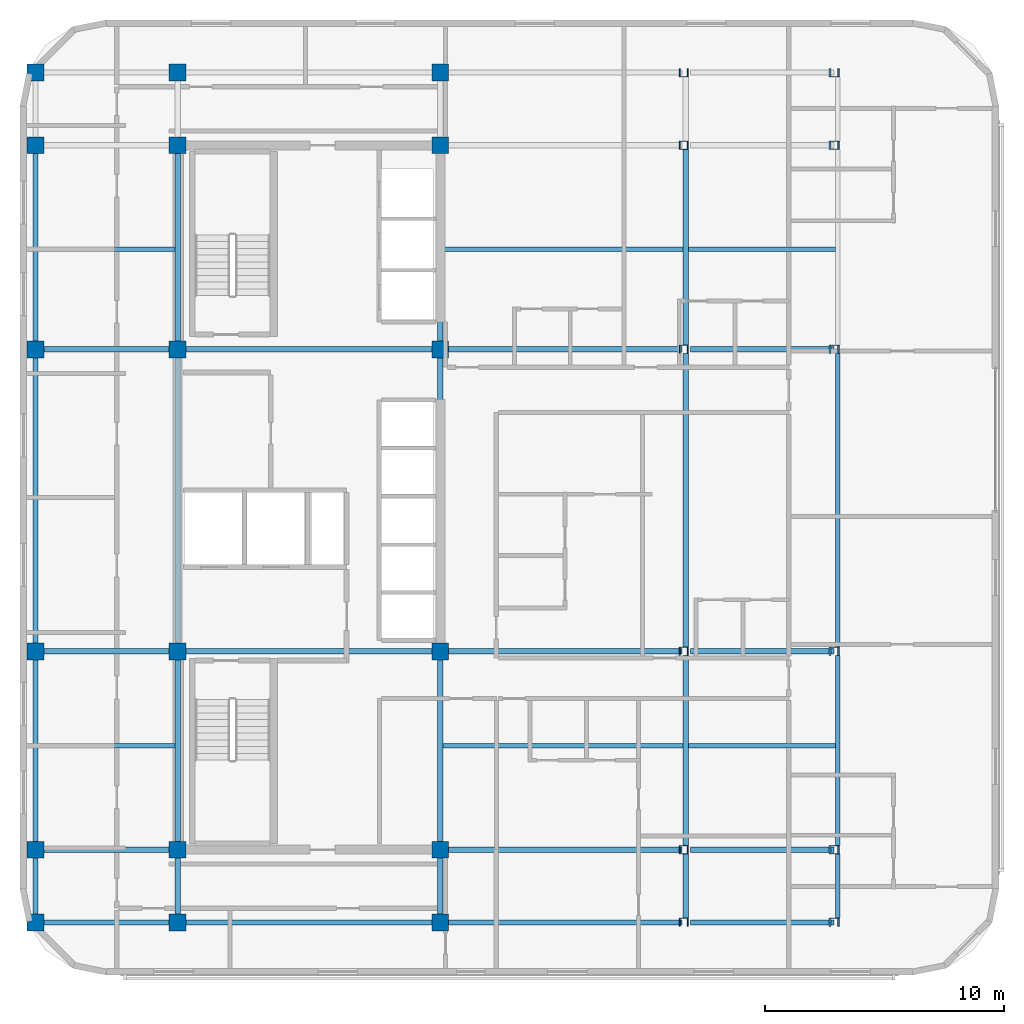
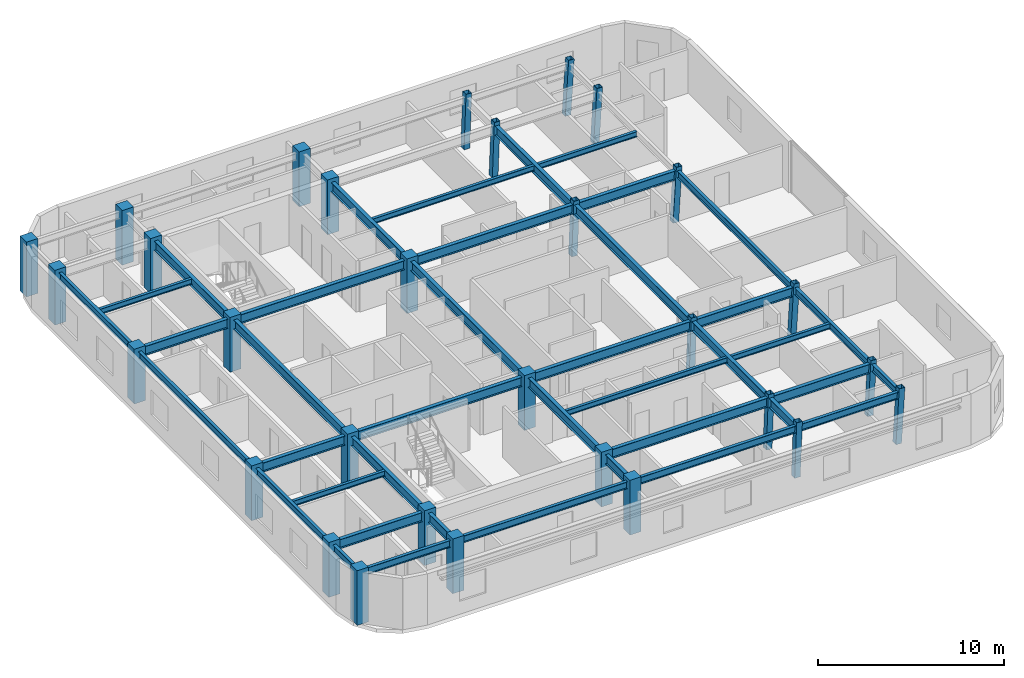
# One storey, part 1 of 11: 40 beams, 30 columns.
"""IFC4 building model written with IfcOpenShell, lengths in metres."""

import ifcopenshell
import ifcopenshell.guid

model = None  # the IFC model being written
_history = None  # IfcOwnerHistory: only IFC2X3 demands one
_inside = {}  # id of a spatial element -> (the spatial element, [elements in it])
_under = {}  # id of a project, library or spatial element -> (it, [spatial elements below it])
_declared = {}  # id of a project -> (the project, [libraries it declares])
_typed = {}  # id of a type object -> (the type object, [elements of that type])
_made_of = {}  # id of a material, layer set ... -> (it, [elements and type objects made of it])


def new_model(schema):
    """Start an empty IFC model of exactly this schema.

    Asked for "IFC4X3", IfcOpenShell would pick the latest addendum, in which some entities
    have other attributes; the version numbers below select the first issue.
    IFC2X3 requires an IfcOwnerHistory on every rooted entity: one is made here for all.
    """
    global model, _history
    if schema == "IFC4X3":
        model = ifcopenshell.file(schema_version=(4, 3, 0, 0))
    else:
        model = ifcopenshell.file(schema=schema)
    _inside.clear()
    _under.clear()
    _declared.clear()
    _typed.clear()
    _made_of.clear()
    _history = None
    if model.schema == "IFC2X3":
        org = make("IfcOrganization", Name="unknown")
        user = make(
            "IfcPersonAndOrganization",
            ThePerson=make("IfcPerson", FamilyName="unknown"),
            TheOrganization=org,
        )
        app = make(
            "IfcApplication",
            ApplicationDeveloper=org,
            Version="unknown",
            ApplicationFullName="unknown",
            ApplicationIdentifier="unknown",
        )
        _history = make(
            "IfcOwnerHistory",
            OwningUser=user,
            OwningApplication=app,
            ChangeAction="ADDED",
            CreationDate=0,
        )
    return model


def make(cls, **values):
    """One entity of the class cls with the attributes given. An attribute that is None is left unset."""
    return model.create_entity(
        cls, **{name: value for name, value in values.items() if value is not None}
    )


def rooted(cls, **values):
    """An entity with a GlobalId (a new one), such as an element, a storey or a relation."""
    return make(cls, GlobalId=ifcopenshell.guid.new(), OwnerHistory=_history, **values)


def si_unit(unit_type, name, prefix=None):
    """IfcSIUnit, for example si_unit("LENGTHUNIT", "METRE", prefix="MILLI")."""
    return make("IfcSIUnit", UnitType=unit_type, Prefix=prefix, Name=name)


def assignment(units):
    """IfcUnitAssignment: the units of a project."""
    return None if units is None else make("IfcUnitAssignment", Units=units)


def point(xyz):
    """IfcCartesianPoint."""
    return None if xyz is None else make("IfcCartesianPoint", Coordinates=xyz)


def direction(xyz):
    """IfcDirection."""
    return None if xyz is None else make("IfcDirection", DirectionRatios=xyz)


def frame(location, z_axis=None, x_axis=None):
    """IfcAxis2Placement3D, a coordinate frame: its origin and axes. An axis left out is left unset."""
    return make(
        "IfcAxis2Placement3D",
        Location=point(location),
        Axis=direction(z_axis),
        RefDirection=direction(x_axis),
    )


def frame_2d(location, x_axis=None):
    """IfcAxis2Placement2D, a coordinate frame in the plane: its origin and x axis."""
    return make(
        "IfcAxis2Placement2D", Location=point(location), RefDirection=direction(x_axis)
    )


def origin():
    """The frame at (0, 0, 0) with its axes left unset."""
    return frame((0.0, 0.0, 0.0))


def origin_2d():
    """The frame at (0, 0) in the plane with its x axis left unset."""
    return frame_2d((0.0, 0.0))


def place(relative_to, where):
    """IfcLocalPlacement: puts the frame where relative to a parent placement (None: the world)."""
    return make(
        "IfcLocalPlacement", PlacementRelTo=relative_to, RelativePlacement=where
    )


def context(
    kind, dimensions, precision=None, world=None, true_north=None, identifier=None
):
    """IfcGeometricRepresentationContext, for example the 3D "Model" context."""
    return make(
        "IfcGeometricRepresentationContext",
        ContextIdentifier=identifier,
        ContextType=kind,
        CoordinateSpaceDimension=dimensions,
        Precision=precision,
        WorldCoordinateSystem=world,
        TrueNorth=true_north,
    )


def subcontext(parent, identifier, kind, view, scale=None):
    """IfcGeometricRepresentationSubContext, for example "Body" below "Model"."""
    return make(
        "IfcGeometricRepresentationSubContext",
        ContextIdentifier=identifier,
        ContextType=kind,
        ParentContext=parent,
        TargetScale=scale,
        TargetView=view,
    )


def project(units=None, contexts=None):
    """IfcProject with its units and contexts."""
    return rooted(
        "IfcProject",
        Name="project",
        RepresentationContexts=contexts,
        UnitsInContext=assignment(units),
    )


def spatial(cls, under=None, at=None, **own):
    """A site, building, storey or space (cls), placed at a placement, below another one or the project."""
    s = rooted(cls, ObjectPlacement=at, **own)
    if under is not None:
        _under.setdefault(under.id(), (under, []))[1].append(s)
    return s


def profile(cls, at=None, kind="AREA", **sizes):
    """A parametric profile (cls). Its sizes go by their IFC names, for example OverallWidth=200.0."""
    return make(cls, ProfileType=kind, Position=at, **sizes)


def rectangle(**sizes):
    """IfcRectangleProfileDef."""
    return profile("IfcRectangleProfileDef", **sizes)


def hollow_rectangle(**sizes):
    """IfcRectangleHollowProfileDef."""
    return profile("IfcRectangleHollowProfileDef", **sizes)


def i_section(**sizes):
    """IfcIShapeProfileDef."""
    return profile("IfcIShapeProfileDef", **sizes)


def extrude(swept, where, along, depth):
    """IfcExtrudedAreaSolid: the profile swept, set in the frame where, extruded along a direction by depth."""
    return make(
        "IfcExtrudedAreaSolid",
        SweptArea=swept,
        Position=where,
        ExtrudedDirection=direction(along),
        Depth=depth,
    )


def shape(context_of_items, identifier, shape_type, items):
    """IfcShapeRepresentation: the items that make up one representation, for example the "Body"."""
    return make(
        "IfcShapeRepresentation",
        ContextOfItems=context_of_items,
        RepresentationIdentifier=identifier,
        RepresentationType=shape_type,
        Items=items,
    )


def material(Name=None, Category=None):
    """IfcMaterial."""
    return make("IfcMaterial", Name=Name, Category=Category)


def material_profile(
    of_material, cross_section, Name=None, Category=None, Priority=None
):
    """IfcMaterialProfile: a cross section and its material."""
    return make(
        "IfcMaterialProfile",
        Name=Name,
        Material=of_material,
        Profile=cross_section,
        Priority=Priority,
        Category=Category,
    )


def profile_set(profiles, Name=None, composite=None):
    """IfcMaterialProfileSet."""
    return make(
        "IfcMaterialProfileSet",
        Name=Name,
        MaterialProfiles=profiles,
        CompositeProfile=composite,
    )


def made_of(thing, what):
    """Note that an element or type object is made of a material, layer set ...; save() writes the relation."""
    if what is not None:
        _made_of.setdefault(what.id(), (what, []))[1].append(thing)
    return thing


def type_object(cls, material=None, **own):
    """A type object (cls), such as IfcWallType, which elements share."""
    return made_of(rooted(cls, **own), material)


def element(
    cls,
    number,
    at=None,
    inside=None,
    cuts=None,
    type_object=None,
    material=None,
    context=None,
    identifier="Body",
    shape_type=None,
    held_by="IfcProductDefinitionShape",
    body=None,
    shapes=None,
    **own,
):
    """One element of the class cls, such as IfcWall. Its Tag is "e" and its number.

    at: its placement. inside: the storey or other place that contains it. cuts: it is an
    opening in that element (IfcRelVoidsElement). A single representation is given by context,
    identifier, shape_type and body (its items); several are given by shapes. held_by: the class
    of the entity that holds the representations. save() writes the other relations.
    """
    e = rooted(cls, Tag="e%d" % number, ObjectPlacement=at, **own)
    if body is not None:
        shapes = [shape(context, identifier, shape_type, body)]
    if shapes is not None:
        e.Representation = make(held_by, Representations=shapes)
    if inside is not None:
        _inside.setdefault(inside.id(), (inside, []))[1].append(e)
    if cuts is not None:
        rooted(
            "IfcRelVoidsElement", RelatingBuildingElement=cuts, RelatedOpeningElement=e
        )
    if type_object is not None:
        _typed.setdefault(type_object.id(), (type_object, []))[1].append(e)
    return made_of(e, material)


def aggregate(whole, parts):
    """IfcRelAggregates: a whole, such as a stair, and the parts it consists of."""
    return rooted("IfcRelAggregates", RelatingObject=whole, RelatedObjects=parts)


def save(model, path):
    """Write the relations noted so far, then the file.

    IfcRelAggregates (storeys below a building ...), IfcRelContainedInSpatialStructure (elements
    in a storey), IfcRelDefinesByType, IfcRelAssociatesMaterial and IfcRelDeclares: one each for
    every whole, place, type object, material and project.
    """
    for whole, parts in _under.values():
        aggregate(whole, parts)
    for where, things in _inside.values():
        rooted(
            "IfcRelContainedInSpatialStructure",
            RelatedElements=things,
            RelatingStructure=where,
        )
    for kind, things in _typed.values():
        rooted("IfcRelDefinesByType", RelatedObjects=things, RelatingType=kind)
    for what, things in _made_of.values():
        rooted("IfcRelAssociatesMaterial", RelatedObjects=things, RelatingMaterial=what)
    for by, libraries in _declared.values():
        rooted("IfcRelDeclares", RelatingContext=by, RelatedDefinitions=libraries)
    model.write(path)


model = new_model("IFC4")

# Units and contexts
model_context = context("Model", 3, precision=1e-05, world=origin(), true_north=direction((0.0, 1.0)))
body_context = subcontext(model_context, "Body", "Model", "MODEL_VIEW")
ifc_project = project(units=[si_unit("LENGTHUNIT", "METRE"), si_unit("AREAUNIT", "SQUARE_METRE"), si_unit("VOLUMEUNIT", "CUBIC_METRE"), si_unit("PLANEANGLEUNIT", "RADIAN"), si_unit("MASSUNIT", "GRAM", prefix="KILO")], contexts=[model_context])

# Site, building, storey
site_placement = place(None, origin())
site = spatial("IfcSite", under=ifc_project, at=site_placement, CompositionType="ELEMENT")
building_placement = place(site_placement, origin())
building = spatial("IfcBuilding", under=site, at=building_placement, Name="Ochreholt Gables", CompositionType="ELEMENT")
storey_placement = place(building_placement, frame((0.0, 0.0, 155.39990234375)))
storey = spatial("IfcBuildingStorey", under=building, at=storey_placement, Name="L40", CompositionType="ELEMENT", Elevation=155.39990234375)

# Columns
ifc_material_1 = material(Name="Steel CSA G40.21 350W", Category="steel")
ifc_material_profile_1 = material_profile(ifc_material_1, hollow_rectangle(XDim=0.35595703125, YDim=0.35595703125, WallThickness=0.01611328125, at=origin_2d()), Name="HSS356X356X16")
ifc_profile_set_1 = profile_set([ifc_material_profile_1], Name="Steel CSA G40.21 350W")
column_type_1 = type_object("IfcColumnType", Name="COL-HSS356-RAK", PredefinedType="COLUMN", material=ifc_profile_set_1)
for number, where, z_axis, x_axis, name in (
    (1, (45.375, 9.25, 0.0), (0.034971136209, 0.0, 0.999388322742), (0.0, 1.0, 0.0), "L40 Column EMY2"),
    (2, (45.375, 17.550048828125, 0.0), (0.034971136209, 0.0, 0.999388322742), (0.0, 1.0, 0.0), "L40 Column EMY3"),
    (3, (45.375, 30.199951171875, 0.0), (0.034971136209, 0.0, 0.999388322742), (0.0, 1.0, 0.0), "L40 Column EMY4"),
    (4, (45.375, 38.75, 0.0), (0.034971136209, 0.0, 0.999388322742), (0.0, 1.0, 0.0), "L40 Column EMY5"),
):
    element("IfcColumn", number, at=place(storey_placement, frame(where, z_axis=z_axis, x_axis=x_axis)), inside=storey, type_object=column_type_1, Name=name, PredefinedType="COLUMN", context=body_context, shape_type="SweptSolid", body=[
        extrude(hollow_rectangle(XDim=0.35595703125, YDim=0.35595703125, WallThickness=0.01611328125, at=origin_2d()), origin(), (0.0, 0.0, 1.0), 3.602294921875),
    ])
ifc_material_profile_2 = material_profile(ifc_material_1, hollow_rectangle(XDim=0.35595703125, YDim=0.35595703125, WallThickness=0.01611328125, at=origin_2d()), Name="HSS356X356X16")
ifc_profile_set_2 = profile_set([ifc_material_profile_2], Name="Steel CSA G40.21 350W")
column_type_2 = type_object("IfcColumnType", Name="COL-HSS356-RAKE", PredefinedType="COLUMN", material=ifc_profile_set_2)
for number, where, z_axis, x_axis, name in (
    (5, (45.375, 6.199951171875, 0.0), (0.034971136209, 0.0, 0.999388322742), (0.0, 1.0, 0.0), "L40 Column EMY1"),
    (6, (45.375, 41.800048828125, 0.0), (0.034971136209, 0.0, 0.999388322742), (0.0, 1.0, 0.0), "L40 Column EMY6"),
):
    element("IfcColumn", number, at=place(storey_placement, frame(where, z_axis=z_axis, x_axis=x_axis)), inside=storey, type_object=column_type_2, Name=name, PredefinedType="COLUMN", context=body_context, shape_type="SweptSolid", body=[
        extrude(hollow_rectangle(XDim=0.35595703125, YDim=0.35595703125, WallThickness=0.01611328125, at=origin_2d()), origin(), (0.0, 0.0, 1.0), 3.602294921875),
    ])
for number, where, z_axis, x_axis, name in (
    (7, (51.669921875, 6.199951171875, 0.0), (0.057952080376, 0.0, 0.998319365925), (0.0, 1.0, 0.0), "L40 Column EEY1"),
    (8, (51.669921875, 9.25, 0.0), (0.057952080376, 0.0, 0.998319365925), (0.0, 1.0, 0.0), "L40 Column EEY2"),
    (9, (51.669921875, 17.550048828125, 0.0), (0.057952080376, 0.0, 0.998319365925), (0.0, 1.0, 0.0), "L40 Column EEY3"),
    (10, (51.669921875, 30.199951171875, 0.0), (0.057952080376, 0.0, 0.998319365925), (0.0, 1.0, 0.0), "L40 Column EEY4"),
    (11, (51.669921875, 38.75, 0.0), (0.057952080376, 0.0, 0.998319365925), (0.0, 1.0, 0.0), "L40 Column EEY5"),
    (12, (51.669921875, 41.800048828125, 0.0), (0.057952080376, 0.0, 0.998319365925), (0.0, 1.0, 0.0), "L40 Column EEY6"),
):
    element("IfcColumn", number, at=place(storey_placement, frame(where, z_axis=z_axis, x_axis=x_axis)), inside=storey, type_object=column_type_2, Name=name, PredefinedType="COLUMN", context=body_context, shape_type="SweptSolid", body=[
        extrude(hollow_rectangle(XDim=0.35595703125, YDim=0.35595703125, WallThickness=0.01611328125, at=origin_2d()), origin(), (0.0, 0.0, 1.0), 3.606201171875),
    ])
ifc_material_2 = material(Name="Concrete 50 MPa", Category="concrete")
ifc_material_profile_3 = material_profile(ifc_material_2, rectangle(XDim=0.699951171875, YDim=0.699951171875, at=origin_2d()), Name="RC700X700")
ifc_profile_set_3 = profile_set([ifc_material_profile_3], Name="Concrete 50 MPa")
column_type_3 = type_object("IfcColumnType", Name="COL-RC700-EXT", PredefinedType="COLUMN", material=ifc_profile_set_3)
for number, where, z_axis, x_axis, name in (
    (13, (18.25, 6.199951171875, 0.0), (0.0, 0.0, 1.0), (1.0, 0.0, 0.0), "L40 Column W3Y1"),
    (14, (18.25, 9.25, 0.0), (0.0, 0.0, 1.0), (1.0, 0.0, 0.0), "L40 Column W3Y2"),
    (15, (18.25, 17.550048828125, 0.0), (0.0, 0.0, 1.0), (1.0, 0.0, 0.0), "L40 Column W3Y3"),
    (16, (18.25, 30.199951171875, 0.0), (0.0, 0.0, 1.0), (1.0, 0.0, 0.0), "L40 Column W3Y4"),
    (17, (18.25, 38.75, 0.0), (0.0, 0.0, 1.0), (1.0, 0.0, 0.0), "L40 Column W3Y5"),
    (18, (18.25, 41.800048828125, 0.0), (0.0, 0.0, 1.0), (1.0, 0.0, 0.0), "L40 Column W3Y6"),
    (19, (24.199951171875, 6.199951171875, 0.0), (0.0, 0.0, 1.0), (1.0, 0.0, 0.0), "L40 Column C1Y1"),
    (20, (24.199951171875, 41.800048828125, 0.0), (0.0, 0.0, 1.0), (1.0, 0.0, 0.0), "L40 Column C1Y6"),
    (21, (35.199951171875, 6.199951171875, 0.0), (0.0, 0.0, 1.0), (1.0, 0.0, 0.0), "L40 Column C2Y1"),
    (22, (35.199951171875, 41.800048828125, 0.0), (0.0, 0.0, 1.0), (1.0, 0.0, 0.0), "L40 Column C2Y6"),
):
    element("IfcColumn", number, at=place(storey_placement, frame(where, z_axis=z_axis, x_axis=x_axis)), inside=storey, type_object=column_type_3, Name=name, PredefinedType="COLUMN", context=body_context, shape_type="SweptSolid", body=[
        extrude(rectangle(XDim=0.699951171875, YDim=0.699951171875, at=origin_2d()), origin(), (0.0, 0.0, 1.0), 3.60009765625),
    ])
ifc_material_profile_4 = material_profile(ifc_material_2, rectangle(XDim=0.699951171875, YDim=0.699951171875, at=origin_2d()), Name="RC700X700")
ifc_profile_set_4 = profile_set([ifc_material_profile_4], Name="Concrete 50 MPa")
column_type_4 = type_object("IfcColumnType", Name="COL-RC700-INT", PredefinedType="COLUMN", material=ifc_profile_set_4)
for number, where, z_axis, x_axis, name in (
    (23, (24.199951171875, 9.25, 0.0), (0.0, 0.0, 1.0), (1.0, 0.0, 0.0), "L40 Column C1Y2"),
    (24, (24.199951171875, 17.550048828125, 0.0), (0.0, 0.0, 1.0), (1.0, 0.0, 0.0), "L40 Column C1Y3"),
    (25, (24.199951171875, 30.199951171875, 0.0), (0.0, 0.0, 1.0), (1.0, 0.0, 0.0), "L40 Column C1Y4"),
    (26, (24.199951171875, 38.75, 0.0), (0.0, 0.0, 1.0), (1.0, 0.0, 0.0), "L40 Column C1Y5"),
    (27, (35.199951171875, 9.25, 0.0), (0.0, 0.0, 1.0), (1.0, 0.0, 0.0), "L40 Column C2Y2"),
    (28, (35.199951171875, 17.550048828125, 0.0), (0.0, 0.0, 1.0), (1.0, 0.0, 0.0), "L40 Column C2Y3"),
    (29, (35.199951171875, 30.199951171875, 0.0), (0.0, 0.0, 1.0), (1.0, 0.0, 0.0), "L40 Column C2Y4"),
    (30, (35.199951171875, 38.75, 0.0), (0.0, 0.0, 1.0), (1.0, 0.0, 0.0), "L40 Column C2Y5"),
):
    element("IfcColumn", number, at=place(storey_placement, frame(where, z_axis=z_axis, x_axis=x_axis)), inside=storey, type_object=column_type_4, Name=name, PredefinedType="COLUMN", context=body_context, shape_type="SweptSolid", body=[
        extrude(rectangle(XDim=0.699951171875, YDim=0.699951171875, at=origin_2d()), origin(), (0.0, 0.0, 1.0), 3.60009765625),
    ])

# Beams
ifc_material_profile_5 = material_profile(ifc_material_1, i_section(OverallWidth=0.22900390625, OverallDepth=0.612060546875, WebThickness=0.011962890625, FlangeThickness=0.01953125, at=origin_2d()), Name="W610X125")
ifc_profile_set_5 = profile_set([ifc_material_profile_5], Name="Steel CSA G40.21 350W")
beam_type_1 = type_object("IfcBeamType", Name="BM-G-W610B", PredefinedType="BEAM", material=ifc_profile_set_5)
beam_1_placement = place(storey_placement, frame((18.599609375, 9.25, 3.05419921875), z_axis=(1.0, 0.0, 0.0), x_axis=(0.0, 1.0, 0.0)))
element("IfcBeam", 31, at=beam_1_placement, inside=storey, type_object=beam_type_1, Name="L40 Beam TBG-L40-W3C1-Y2", PredefinedType="BEAM", context=body_context, shape_type="SweptSolid", body=[
    extrude(i_section(OverallWidth=0.22900390625, OverallDepth=0.612060546875, WebThickness=0.011962890625, FlangeThickness=0.01953125, at=origin_2d()), origin(), (0.0, 0.0, 1.0), 5.250732421875),
])
beam_2_placement = place(storey_placement, frame((35.549560546875, 9.25, 3.05419921875), z_axis=(1.0, 0.0, 0.0), x_axis=(0.0, 1.0, 0.0)))
element("IfcBeam", 32, at=beam_2_placement, inside=storey, type_object=beam_type_1, Name="L40 Beam TBG-L40-C2EM-Y2", PredefinedType="BEAM", context=body_context, shape_type="SweptSolid", body=[
    extrude(i_section(OverallWidth=0.22900390625, OverallDepth=0.612060546875, WebThickness=0.011962890625, FlangeThickness=0.01953125, at=origin_2d()), origin(), (0.0, 0.0, 1.0), 9.77392578125),
])
beam_3_placement = place(storey_placement, frame((45.6787109375, 9.25, 3.05419921875), z_axis=(1.0, 0.0, 0.0), x_axis=(0.0, 1.0, 0.0)))
element("IfcBeam", 33, at=beam_3_placement, inside=storey, type_object=beam_type_1, Name="L40 Beam TBG-L40-EMEE-Y2", PredefinedType="BEAM", context=body_context, shape_type="SweptSolid", body=[
    extrude(i_section(OverallWidth=0.22900390625, OverallDepth=0.612060546875, WebThickness=0.011962890625, FlangeThickness=0.01953125, at=origin_2d()), origin(), (0.0, 0.0, 1.0), 6.0224609375),
])
beam_4_placement = place(storey_placement, frame((18.599609375, 17.550048828125, 3.05419921875), z_axis=(1.0, 0.0, 0.0), x_axis=(0.0, 1.0, 0.0)))
element("IfcBeam", 34, at=beam_4_placement, inside=storey, type_object=beam_type_1, Name="L40 Beam TBG-L40-W3C1-Y3", PredefinedType="BEAM", context=body_context, shape_type="SweptSolid", body=[
    extrude(i_section(OverallWidth=0.22900390625, OverallDepth=0.612060546875, WebThickness=0.011962890625, FlangeThickness=0.01953125, at=origin_2d()), origin(), (0.0, 0.0, 1.0), 5.250732421875),
])
beam_5_placement = place(storey_placement, frame((24.549560546875, 17.550048828125, 3.05419921875), z_axis=(1.0, 0.0, 0.0), x_axis=(0.0, 1.0, 0.0)))
element("IfcBeam", 35, at=beam_5_placement, inside=storey, type_object=beam_type_1, Name="L40 Beam TBG-L40-C1C2-Y3", PredefinedType="BEAM", context=body_context, shape_type="SweptSolid", body=[
    extrude(i_section(OverallWidth=0.22900390625, OverallDepth=0.612060546875, WebThickness=0.011962890625, FlangeThickness=0.01953125, at=origin_2d()), origin(), (0.0, 0.0, 1.0), 10.30078125),
])
beam_6_placement = place(storey_placement, frame((35.549560546875, 17.550048828125, 3.05419921875), z_axis=(1.0, 0.0, 0.0), x_axis=(0.0, 1.0, 0.0)))
element("IfcBeam", 36, at=beam_6_placement, inside=storey, type_object=beam_type_1, Name="L40 Beam TBG-L40-C2EM-Y3", PredefinedType="BEAM", context=body_context, shape_type="SweptSolid", body=[
    extrude(i_section(OverallWidth=0.22900390625, OverallDepth=0.612060546875, WebThickness=0.011962890625, FlangeThickness=0.01953125, at=origin_2d()), origin(), (0.0, 0.0, 1.0), 9.77392578125),
])
beam_7_placement = place(storey_placement, frame((45.6787109375, 17.550048828125, 3.05419921875), z_axis=(1.0, 0.0, 0.0), x_axis=(0.0, 1.0, 0.0)))
element("IfcBeam", 37, at=beam_7_placement, inside=storey, type_object=beam_type_1, Name="L40 Beam TBG-L40-EMEE-Y3", PredefinedType="BEAM", context=body_context, shape_type="SweptSolid", body=[
    extrude(i_section(OverallWidth=0.22900390625, OverallDepth=0.612060546875, WebThickness=0.011962890625, FlangeThickness=0.01953125, at=origin_2d()), origin(), (0.0, 0.0, 1.0), 6.0224609375),
])
beam_8_placement = place(storey_placement, frame((18.599609375, 30.199951171875, 3.05419921875), z_axis=(1.0, 0.0, 0.0), x_axis=(0.0, 1.0, 0.0)))
element("IfcBeam", 38, at=beam_8_placement, inside=storey, type_object=beam_type_1, Name="L40 Beam TBG-L40-W3C1-Y4", PredefinedType="BEAM", context=body_context, shape_type="SweptSolid", body=[
    extrude(i_section(OverallWidth=0.22900390625, OverallDepth=0.612060546875, WebThickness=0.011962890625, FlangeThickness=0.01953125, at=origin_2d()), origin(), (0.0, 0.0, 1.0), 5.250732421875),
])
beam_9_placement = place(storey_placement, frame((24.549560546875, 30.199951171875, 3.05419921875), z_axis=(1.0, 0.0, 0.0), x_axis=(0.0, 1.0, 0.0)))
element("IfcBeam", 39, at=beam_9_placement, inside=storey, type_object=beam_type_1, Name="L40 Beam TBG-L40-C1C2-Y4", PredefinedType="BEAM", context=body_context, shape_type="SweptSolid", body=[
    extrude(i_section(OverallWidth=0.22900390625, OverallDepth=0.612060546875, WebThickness=0.011962890625, FlangeThickness=0.01953125, at=origin_2d()), origin(), (0.0, 0.0, 1.0), 10.30078125),
])
beam_10_placement = place(storey_placement, frame((35.549560546875, 30.199951171875, 3.05419921875), z_axis=(1.0, 0.0, 0.0), x_axis=(0.0, 1.0, 0.0)))
element("IfcBeam", 40, at=beam_10_placement, inside=storey, type_object=beam_type_1, Name="L40 Beam TBG-L40-C2EM-Y4", PredefinedType="BEAM", context=body_context, shape_type="SweptSolid", body=[
    extrude(i_section(OverallWidth=0.22900390625, OverallDepth=0.612060546875, WebThickness=0.011962890625, FlangeThickness=0.01953125, at=origin_2d()), origin(), (0.0, 0.0, 1.0), 9.77392578125),
])
beam_11_placement = place(storey_placement, frame((45.6787109375, 30.199951171875, 3.05419921875), z_axis=(1.0, 0.0, 0.0), x_axis=(0.0, 1.0, 0.0)))
element("IfcBeam", 41, at=beam_11_placement, inside=storey, type_object=beam_type_1, Name="L40 Beam TBG-L40-EMEE-Y4", PredefinedType="BEAM", context=body_context, shape_type="SweptSolid", body=[
    extrude(i_section(OverallWidth=0.22900390625, OverallDepth=0.612060546875, WebThickness=0.011962890625, FlangeThickness=0.01953125, at=origin_2d()), origin(), (0.0, 0.0, 1.0), 6.0224609375),
])
beam_12_placement = place(storey_placement, frame((24.199951171875, 6.549560546875, 3.05419921875), z_axis=(0.0, 1.0, 0.0), x_axis=(-1.0, 0.0, 0.0)))
element("IfcBeam", 42, at=beam_12_placement, inside=storey, type_object=beam_type_1, Name="L40 Beam TBN-L40-C1-Y1Y2", PredefinedType="BEAM", context=body_context, shape_type="SweptSolid", body=[
    extrude(i_section(OverallWidth=0.22900390625, OverallDepth=0.612060546875, WebThickness=0.011962890625, FlangeThickness=0.01953125, at=origin_2d()), origin(), (0.0, 0.0, 1.0), 2.350830078125),
])
beam_13_placement = place(storey_placement, frame((24.199951171875, 9.599609375, 3.05419921875), z_axis=(0.0, 1.0, 0.0), x_axis=(-1.0, 0.0, 0.0)))
element("IfcBeam", 43, at=beam_13_placement, inside=storey, type_object=beam_type_1, Name="L40 Beam TBN-L40-C1-Y2Y3", PredefinedType="BEAM", context=body_context, shape_type="SweptSolid", body=[
    extrude(i_section(OverallWidth=0.22900390625, OverallDepth=0.612060546875, WebThickness=0.011962890625, FlangeThickness=0.01953125, at=origin_2d()), origin(), (0.0, 0.0, 1.0), 7.600830078125),
])
beam_14_placement = place(storey_placement, frame((24.199951171875, 17.899658203125, 3.05419921875), z_axis=(0.0, 1.0, 0.0), x_axis=(-1.0, 0.0, 0.0)))
element("IfcBeam", 44, at=beam_14_placement, inside=storey, type_object=beam_type_1, Name="L40 Beam TBN-L40-C1-Y3Y4", PredefinedType="BEAM", context=body_context, shape_type="SweptSolid", body=[
    extrude(i_section(OverallWidth=0.22900390625, OverallDepth=0.612060546875, WebThickness=0.011962890625, FlangeThickness=0.01953125, at=origin_2d()), origin(), (0.0, 0.0, 1.0), 11.95068359375),
])
beam_15_placement = place(storey_placement, frame((24.199951171875, 30.549560546875, 3.05419921875), z_axis=(0.0, 1.0, 0.0), x_axis=(-1.0, 0.0, 0.0)))
element("IfcBeam", 45, at=beam_15_placement, inside=storey, type_object=beam_type_1, Name="L40 Beam TBN-L40-C1-Y4Y5", PredefinedType="BEAM", context=body_context, shape_type="SweptSolid", body=[
    extrude(i_section(OverallWidth=0.22900390625, OverallDepth=0.612060546875, WebThickness=0.011962890625, FlangeThickness=0.01953125, at=origin_2d()), origin(), (0.0, 0.0, 1.0), 7.850830078125),
])
beam_16_placement = place(storey_placement, frame((35.199951171875, 6.549560546875, 3.05419921875), z_axis=(0.0, 1.0, 0.0), x_axis=(-1.0, 0.0, 0.0)))
element("IfcBeam", 46, at=beam_16_placement, inside=storey, type_object=beam_type_1, Name="L40 Beam TBN-L40-C2-Y1Y2", PredefinedType="BEAM", context=body_context, shape_type="SweptSolid", body=[
    extrude(i_section(OverallWidth=0.22900390625, OverallDepth=0.612060546875, WebThickness=0.011962890625, FlangeThickness=0.01953125, at=origin_2d()), origin(), (0.0, 0.0, 1.0), 2.350830078125),
])
beam_17_placement = place(storey_placement, frame((35.199951171875, 9.599609375, 3.05419921875), z_axis=(0.0, 1.0, 0.0), x_axis=(-1.0, 0.0, 0.0)))
element("IfcBeam", 47, at=beam_17_placement, inside=storey, type_object=beam_type_1, Name="L40 Beam TBN-L40-C2-Y2Y3", PredefinedType="BEAM", context=body_context, shape_type="SweptSolid", body=[
    extrude(i_section(OverallWidth=0.22900390625, OverallDepth=0.612060546875, WebThickness=0.011962890625, FlangeThickness=0.01953125, at=origin_2d()), origin(), (0.0, 0.0, 1.0), 7.600830078125),
])
beam_18_placement = place(storey_placement, frame((35.199951171875, 17.899658203125, 3.05419921875), z_axis=(0.0, 1.0, 0.0), x_axis=(-1.0, 0.0, 0.0)))
element("IfcBeam", 48, at=beam_18_placement, inside=storey, type_object=beam_type_1, Name="L40 Beam TBN-L40-C2-Y3Y4", PredefinedType="BEAM", context=body_context, shape_type="SweptSolid", body=[
    extrude(i_section(OverallWidth=0.22900390625, OverallDepth=0.612060546875, WebThickness=0.011962890625, FlangeThickness=0.01953125, at=origin_2d()), origin(), (0.0, 0.0, 1.0), 11.95068359375),
])
beam_19_placement = place(storey_placement, frame((35.199951171875, 30.549560546875, 3.05419921875), z_axis=(0.0, 1.0, 0.0), x_axis=(-1.0, 0.0, 0.0)))
element("IfcBeam", 49, at=beam_19_placement, inside=storey, type_object=beam_type_1, Name="L40 Beam TBN-L40-C2-Y4Y5", PredefinedType="BEAM", context=body_context, shape_type="SweptSolid", body=[
    extrude(i_section(OverallWidth=0.22900390625, OverallDepth=0.612060546875, WebThickness=0.011962890625, FlangeThickness=0.01953125, at=origin_2d()), origin(), (0.0, 0.0, 1.0), 7.850830078125),
])
beam_20_placement = place(storey_placement, frame((45.48388671875, 6.377685546875, 3.05419921875), z_axis=(0.0, 1.0, 0.0), x_axis=(-1.0, 0.0, 0.0)))
element("IfcBeam", 50, at=beam_20_placement, inside=storey, type_object=beam_type_1, Name="L40 Beam TBN-L40-EM-Y1Y2", PredefinedType="BEAM", context=body_context, shape_type="SweptSolid", body=[
    extrude(i_section(OverallWidth=0.22900390625, OverallDepth=0.612060546875, WebThickness=0.011962890625, FlangeThickness=0.01953125, at=origin_2d()), origin(), (0.0, 0.0, 1.0), 2.69482421875),
])
beam_21_placement = place(storey_placement, frame((45.48388671875, 9.427490234375, 3.05419921875), z_axis=(0.0, 1.0, 0.0), x_axis=(-1.0, 0.0, 0.0)))
element("IfcBeam", 51, at=beam_21_placement, inside=storey, type_object=beam_type_1, Name="L40 Beam TBN-L40-EM-Y2Y3", PredefinedType="BEAM", context=body_context, shape_type="SweptSolid", body=[
    extrude(i_section(OverallWidth=0.22900390625, OverallDepth=0.612060546875, WebThickness=0.011962890625, FlangeThickness=0.01953125, at=origin_2d()), origin(), (0.0, 0.0, 1.0), 7.94482421875),
])
beam_22_placement = place(storey_placement, frame((45.48388671875, 17.7275390625, 3.05419921875), z_axis=(0.0, 1.0, 0.0), x_axis=(-1.0, 0.0, 0.0)))
element("IfcBeam", 52, at=beam_22_placement, inside=storey, type_object=beam_type_1, Name="L40 Beam TBN-L40-EM-Y3Y4", PredefinedType="BEAM", context=body_context, shape_type="SweptSolid", body=[
    extrude(i_section(OverallWidth=0.22900390625, OverallDepth=0.612060546875, WebThickness=0.011962890625, FlangeThickness=0.01953125, at=origin_2d()), origin(), (0.0, 0.0, 1.0), 12.294921875),
])
beam_23_placement = place(storey_placement, frame((45.48388671875, 30.377685546875, 3.05419921875), z_axis=(0.0, 1.0, 0.0), x_axis=(-1.0, 0.0, 0.0)))
element("IfcBeam", 53, at=beam_23_placement, inside=storey, type_object=beam_type_1, Name="L40 Beam TBN-L40-EM-Y4Y5", PredefinedType="BEAM", context=body_context, shape_type="SweptSolid", body=[
    extrude(i_section(OverallWidth=0.22900390625, OverallDepth=0.612060546875, WebThickness=0.011962890625, FlangeThickness=0.01953125, at=origin_2d()), origin(), (0.0, 0.0, 1.0), 8.19482421875),
])
ifc_material_profile_6 = material_profile(ifc_material_1, i_section(OverallWidth=0.172119140625, OverallDepth=0.35791015625, WebThickness=0.0078125, FlangeThickness=0.01318359375, at=origin_2d()), Name="W360X57")
ifc_profile_set_6 = profile_set([ifc_material_profile_6], Name="Steel CSA G40.21 350W")
beam_type_2 = type_object("IfcBeamType", Name="BM-J-W360B", PredefinedType="JOIST", material=ifc_profile_set_6)
beam_24_placement = place(storey_placement, frame((18.345703125, 13.60009765625, 3.18115234375), z_axis=(1.0, 0.0, 0.0), x_axis=(0.0, 1.0, 0.0)))
element("IfcBeam", 54, at=beam_24_placement, inside=storey, type_object=beam_type_2, Name="L40 Beam TBJ-L40-J1-W3C1", PredefinedType="JOIST", context=body_context, shape_type="SweptSolid", body=[
    extrude(i_section(OverallWidth=0.172119140625, OverallDepth=0.35791015625, WebThickness=0.0078125, FlangeThickness=0.01318359375, at=origin_2d()), origin(), (0.0, 0.0, 1.0), 5.740234375),
])
beam_25_placement = place(storey_placement, frame((35.314208984375, 13.60009765625, 3.18115234375), z_axis=(1.0, 0.0, 0.0), x_axis=(0.0, 1.0, 0.0)))
element("IfcBeam", 55, at=beam_25_placement, inside=storey, type_object=beam_type_2, Name="L40 Beam TBJ-L40-J1-C2EM", PredefinedType="JOIST", context=body_context, shape_type="SweptSolid", body=[
    extrude(i_section(OverallWidth=0.172119140625, OverallDepth=0.35791015625, WebThickness=0.0078125, FlangeThickness=0.01318359375, at=origin_2d()), origin(), (0.0, 0.0, 1.0), 10.055419921875),
])
beam_26_placement = place(storey_placement, frame((45.597900390625, 13.60009765625, 3.18115234375), z_axis=(1.0, 0.0, 0.0), x_axis=(0.0, 1.0, 0.0)))
element("IfcBeam", 56, at=beam_26_placement, inside=storey, type_object=beam_type_2, Name="L40 Beam TBJ-L40-J1-EMEE", PredefinedType="JOIST", context=body_context, shape_type="SweptSolid", body=[
    extrude(i_section(OverallWidth=0.172119140625, OverallDepth=0.35791015625, WebThickness=0.0078125, FlangeThickness=0.01318359375, at=origin_2d()), origin(), (0.0, 0.0, 1.0), 6.156982421875),
])
beam_27_placement = place(storey_placement, frame((18.345703125, 34.39990234375, 3.18115234375), z_axis=(1.0, 0.0, 0.0), x_axis=(0.0, 1.0, 0.0)))
element("IfcBeam", 57, at=beam_27_placement, inside=storey, type_object=beam_type_2, Name="L40 Beam TBJ-L40-J2-W3C1", PredefinedType="JOIST", context=body_context, shape_type="SweptSolid", body=[
    extrude(i_section(OverallWidth=0.172119140625, OverallDepth=0.35791015625, WebThickness=0.0078125, FlangeThickness=0.01318359375, at=origin_2d()), origin(), (0.0, 0.0, 1.0), 5.740234375),
])
beam_28_placement = place(storey_placement, frame((35.314208984375, 34.39990234375, 3.18115234375), z_axis=(1.0, 0.0, 0.0), x_axis=(0.0, 1.0, 0.0)))
element("IfcBeam", 58, at=beam_28_placement, inside=storey, type_object=beam_type_2, Name="L40 Beam TBJ-L40-J2-C2EM", PredefinedType="JOIST", context=body_context, shape_type="SweptSolid", body=[
    extrude(i_section(OverallWidth=0.172119140625, OverallDepth=0.35791015625, WebThickness=0.0078125, FlangeThickness=0.01318359375, at=origin_2d()), origin(), (0.0, 0.0, 1.0), 10.055419921875),
])
beam_29_placement = place(storey_placement, frame((45.597900390625, 34.39990234375, 3.18115234375), z_axis=(1.0, 0.0, 0.0), x_axis=(0.0, 1.0, 0.0)))
element("IfcBeam", 59, at=beam_29_placement, inside=storey, type_object=beam_type_2, Name="L40 Beam TBJ-L40-J2-EMEE", PredefinedType="JOIST", context=body_context, shape_type="SweptSolid", body=[
    extrude(i_section(OverallWidth=0.172119140625, OverallDepth=0.35791015625, WebThickness=0.0078125, FlangeThickness=0.01318359375, at=origin_2d()), origin(), (0.0, 0.0, 1.0), 6.156982421875),
])
ifc_material_profile_7 = material_profile(ifc_material_1, i_section(OverallWidth=0.19189453125, OverallDepth=0.462890625, WebThickness=0.010498046875, FlangeThickness=0.017578125, at=origin_2d()), Name="W460X89")
ifc_profile_set_7 = profile_set([ifc_material_profile_7], Name="Steel CSA G40.21 350W")
beam_type_3 = type_object("IfcBeamType", Name="BM-SP-W460A", PredefinedType="SPANDREL", material=ifc_profile_set_7)
beam_30_placement = place(storey_placement, frame((18.599609375, 6.199951171875, 3.128662109375), z_axis=(1.0, 0.0, 0.0), x_axis=(0.0, 1.0, 0.0)))
element("IfcBeam", 60, at=beam_30_placement, inside=storey, type_object=beam_type_3, Name="L40 Beam TBG-L40-W3C1-Y1", PredefinedType="SPANDREL", context=body_context, shape_type="SweptSolid", body=[
    extrude(i_section(OverallWidth=0.19189453125, OverallDepth=0.462890625, WebThickness=0.010498046875, FlangeThickness=0.017578125, at=origin_2d()), origin(), (0.0, 0.0, 1.0), 5.250732421875),
])
beam_31_placement = place(storey_placement, frame((24.549560546875, 6.199951171875, 3.128662109375), z_axis=(1.0, 0.0, 0.0), x_axis=(0.0, 1.0, 0.0)))
element("IfcBeam", 61, at=beam_31_placement, inside=storey, type_object=beam_type_3, Name="L40 Beam TBG-L40-C1C2-Y1", PredefinedType="SPANDREL", context=body_context, shape_type="SweptSolid", body=[
    extrude(i_section(OverallWidth=0.19189453125, OverallDepth=0.462890625, WebThickness=0.010498046875, FlangeThickness=0.017578125, at=origin_2d()), origin(), (0.0, 0.0, 1.0), 10.30078125),
])
beam_32_placement = place(storey_placement, frame((35.549560546875, 6.199951171875, 3.128662109375), z_axis=(1.0, 0.0, 0.0), x_axis=(0.0, 1.0, 0.0)))
element("IfcBeam", 62, at=beam_32_placement, inside=storey, type_object=beam_type_3, Name="L40 Beam TBG-L40-C2EM-Y1", PredefinedType="SPANDREL", context=body_context, shape_type="SweptSolid", body=[
    extrude(i_section(OverallWidth=0.19189453125, OverallDepth=0.462890625, WebThickness=0.010498046875, FlangeThickness=0.017578125, at=origin_2d()), origin(), (0.0, 0.0, 1.0), 9.77392578125),
])
beam_33_placement = place(storey_placement, frame((45.6787109375, 6.199951171875, 3.128662109375), z_axis=(1.0, 0.0, 0.0), x_axis=(0.0, 1.0, 0.0)))
element("IfcBeam", 63, at=beam_33_placement, inside=storey, type_object=beam_type_3, Name="L40 Beam TBG-L40-EMEE-Y1", PredefinedType="SPANDREL", context=body_context, shape_type="SweptSolid", body=[
    extrude(i_section(OverallWidth=0.19189453125, OverallDepth=0.462890625, WebThickness=0.010498046875, FlangeThickness=0.017578125, at=origin_2d()), origin(), (0.0, 0.0, 1.0), 6.0224609375),
])
beam_34_placement = place(storey_placement, frame((18.25, 6.549560546875, 3.128662109375), z_axis=(0.0, 1.0, 0.0), x_axis=(-1.0, 0.0, 0.0)))
element("IfcBeam", 64, at=beam_34_placement, inside=storey, type_object=beam_type_3, Name="L40 Beam TBN-L40-W3-Y1Y2", PredefinedType="SPANDREL", context=body_context, shape_type="SweptSolid", body=[
    extrude(i_section(OverallWidth=0.19189453125, OverallDepth=0.462890625, WebThickness=0.010498046875, FlangeThickness=0.017578125, at=origin_2d()), origin(), (0.0, 0.0, 1.0), 2.350830078125),
])
beam_35_placement = place(storey_placement, frame((18.25, 9.599609375, 3.128662109375), z_axis=(0.0, 1.0, 0.0), x_axis=(-1.0, 0.0, 0.0)))
element("IfcBeam", 65, at=beam_35_placement, inside=storey, type_object=beam_type_3, Name="L40 Beam TBN-L40-W3-Y2Y3", PredefinedType="SPANDREL", context=body_context, shape_type="SweptSolid", body=[
    extrude(i_section(OverallWidth=0.19189453125, OverallDepth=0.462890625, WebThickness=0.010498046875, FlangeThickness=0.017578125, at=origin_2d()), origin(), (0.0, 0.0, 1.0), 7.600830078125),
])
beam_36_placement = place(storey_placement, frame((18.25, 17.899658203125, 3.128662109375), z_axis=(0.0, 1.0, 0.0), x_axis=(-1.0, 0.0, 0.0)))
element("IfcBeam", 66, at=beam_36_placement, inside=storey, type_object=beam_type_3, Name="L40 Beam TBN-L40-W3-Y3Y4", PredefinedType="SPANDREL", context=body_context, shape_type="SweptSolid", body=[
    extrude(i_section(OverallWidth=0.19189453125, OverallDepth=0.462890625, WebThickness=0.010498046875, FlangeThickness=0.017578125, at=origin_2d()), origin(), (0.0, 0.0, 1.0), 11.95068359375),
])
beam_37_placement = place(storey_placement, frame((18.25, 30.549560546875, 3.128662109375), z_axis=(0.0, 1.0, 0.0), x_axis=(-1.0, 0.0, 0.0)))
element("IfcBeam", 67, at=beam_37_placement, inside=storey, type_object=beam_type_3, Name="L40 Beam TBN-L40-W3-Y4Y5", PredefinedType="SPANDREL", context=body_context, shape_type="SweptSolid", body=[
    extrude(i_section(OverallWidth=0.19189453125, OverallDepth=0.462890625, WebThickness=0.010498046875, FlangeThickness=0.017578125, at=origin_2d()), origin(), (0.0, 0.0, 1.0), 7.850830078125),
])
beam_38_placement = place(storey_placement, frame((51.850341796875, 6.377685546875, 3.128662109375), z_axis=(0.0, 1.0, 0.0), x_axis=(-1.0, 0.0, 0.0)))
element("IfcBeam", 68, at=beam_38_placement, inside=storey, type_object=beam_type_3, Name="L40 Beam TBN-L40-EE-Y1Y2", PredefinedType="SPANDREL", context=body_context, shape_type="SweptSolid", body=[
    extrude(i_section(OverallWidth=0.19189453125, OverallDepth=0.462890625, WebThickness=0.010498046875, FlangeThickness=0.017578125, at=origin_2d()), origin(), (0.0, 0.0, 1.0), 2.69482421875),
])
beam_39_placement = place(storey_placement, frame((51.850341796875, 9.427490234375, 3.128662109375), z_axis=(0.0, 1.0, 0.0), x_axis=(-1.0, 0.0, 0.0)))
element("IfcBeam", 69, at=beam_39_placement, inside=storey, type_object=beam_type_3, Name="L40 Beam TBN-L40-EE-Y2Y3", PredefinedType="SPANDREL", context=body_context, shape_type="SweptSolid", body=[
    extrude(i_section(OverallWidth=0.19189453125, OverallDepth=0.462890625, WebThickness=0.010498046875, FlangeThickness=0.017578125, at=origin_2d()), origin(), (0.0, 0.0, 1.0), 7.94482421875),
])
beam_40_placement = place(storey_placement, frame((51.850341796875, 17.7275390625, 3.128662109375), z_axis=(0.0, 1.0, 0.0), x_axis=(-1.0, 0.0, 0.0)))
element("IfcBeam", 70, at=beam_40_placement, inside=storey, type_object=beam_type_3, Name="L40 Beam TBN-L40-EE-Y3Y4", PredefinedType="SPANDREL", context=body_context, shape_type="SweptSolid", body=[
    extrude(i_section(OverallWidth=0.19189453125, OverallDepth=0.462890625, WebThickness=0.010498046875, FlangeThickness=0.017578125, at=origin_2d()), origin(), (0.0, 0.0, 1.0), 12.294921875),
])

save(model, "model.ifc")
